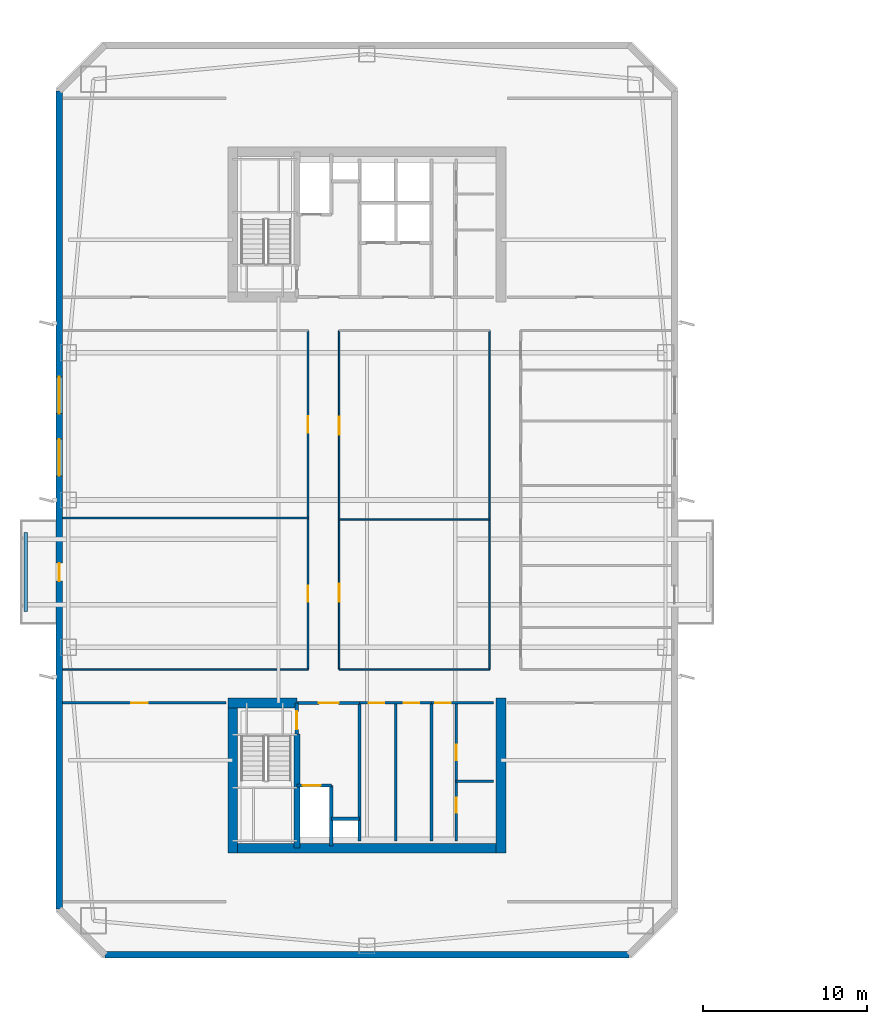
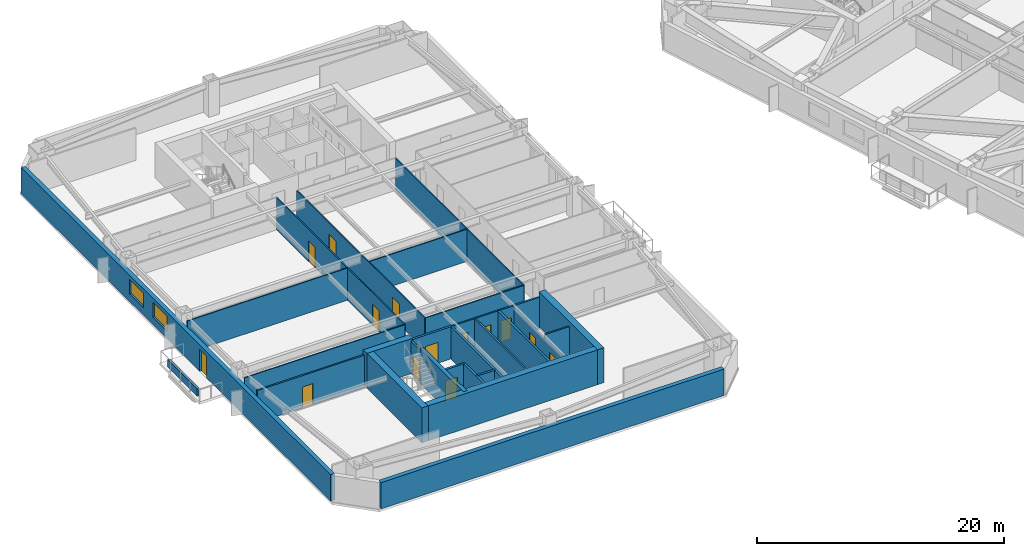
# One storey, part 5 of 17: 28 walls, 14 doors, 2 windows, 16 openings.
"""IFC4 building model written with IfcOpenShell, lengths in metres."""

from ifc_helpers import new_model, si_unit, direction, frame, frame_2d, origin, place, context, subcontext, project, spatial, rectangle, extrude, material, layer, layer_set, type_object, element, fill, save


model = new_model("IFC4")

# Units and contexts
model_context = context("Model", 3, precision=1e-05, world=origin(), true_north=direction((0.0, 1.0)))
body_context = subcontext(model_context, "Body", "Model", "MODEL_VIEW")
ifc_project = project(units=[si_unit("LENGTHUNIT", "METRE"), si_unit("AREAUNIT", "SQUARE_METRE"), si_unit("VOLUMEUNIT", "CUBIC_METRE"), si_unit("PLANEANGLEUNIT", "RADIAN"), si_unit("MASSUNIT", "GRAM", prefix="KILO")], contexts=[model_context])

# Site, building, storey
site_placement = place(None, origin())
site = spatial("IfcSite", under=ifc_project, at=site_placement, CompositionType="ELEMENT")
building_placement = place(site_placement, origin())
building = spatial("IfcBuilding", under=site, at=building_placement, Name="Qiaolan Cultural Towers", CompositionType="ELEMENT")
storey_placement = place(building_placement, frame((0.0, 0.0, 131.10009765625)))
storey = spatial("IfcBuildingStorey", under=building, at=storey_placement, Name="L34", CompositionType="ELEMENT", Elevation=131.10009765625)

# Walls
ifc_material_1 = material(Name="Concrete C50", Category="concrete")
ifc_layer_1 = layer(ifc_material_1, 0.35009765625)
ifc_layer_set_1 = layer_set([ifc_layer_1], Name="Concrete C50")
wall_type_1 = type_object("IfcWallType", Name="WL-CORE-350", PredefinedType="SHEAR", material=ifc_layer_set_1)
wall_1_placement = place(storey_placement, frame((25.719970703125, 19.699951171875, 0.0), z_axis=(0.0, 0.0, 1.0), x_axis=(0.0, -1.0, 0.0)))
element("IfcWall", 1, at=wall_1_placement, inside=storey, type_object=wall_type_1, Name="L34 T1-CS Stair Core Dividing Web", PredefinedType="SHEAR", context=body_context, shape_type="SweptSolid", body=[
    extrude(rectangle(XDim=6.97998046875, YDim=0.35009765625, at=frame_2d((3.489990234375, 0.0))), origin(), (0.0, 0.0, 1.0), 3.449951171875),
])
ifc_material_2 = material(Name="Concrete C55", Category="concrete")
ifc_layer_2 = layer(ifc_material_2, 0.60009765625)
ifc_layer_set_2 = layer_set([ifc_layer_2], Name="Concrete C55")
wall_type_2 = type_object("IfcWallType", Name="WL-CORE-600", PredefinedType="SHEAR", material=ifc_layer_set_2)
wall_2_placement = place(storey_placement, frame((21.5, 12.719970703125, 0.0), z_axis=(0.0, 0.0, 1.0), x_axis=(1.0, 0.0, 0.0)))
element("IfcWall", 2, at=wall_2_placement, inside=storey, type_object=wall_type_2, Name="L34 T1-CS Outer Core Shear Wall", PredefinedType="SHEAR", context=body_context, shape_type="SweptSolid", body=[
    extrude(rectangle(XDim=17.0, YDim=0.60009765625, at=frame_2d((8.5, 0.0))), origin(), (0.0, 0.0, 1.0), 3.449951171875),
])
for number, where, z_axis, x_axis, name in (
    (3, (21.800048828125, 21.89990234375, 0.0), (0.0, 0.0, 1.0), (0.0, -1.0, 0.0), "L34 T1-CS West Core Shear Wall"),
    (4, (38.199951171875, 21.89990234375, 0.0), (0.0, 0.0, 1.0), (0.0, -1.0, 0.0), "L34 T1-CS East Core Shear Wall"),
):
    element("IfcWall", number, at=place(storey_placement, frame(where, z_axis=z_axis, x_axis=x_axis)), inside=storey, type_object=wall_type_2, Name=name, PredefinedType="SHEAR", context=body_context, shape_type="SweptSolid", body=[
        extrude(rectangle(XDim=9.47998046875, YDim=0.60009765625, at=frame_2d((4.739990234375, 0.0))), origin(), (0.0, 0.0, 1.0), 3.449951171875),
    ])
wall_3_placement = place(storey_placement, frame((21.5, 21.60009765625, 0.0), z_axis=(0.0, 0.0, 1.0), x_axis=(1.0, 0.0, 0.0)))
element("IfcWall", 5, at=wall_3_placement, inside=storey, type_object=wall_type_2, Name="L34 T1-CS Stair Front Shear Wall", PredefinedType="SHEAR", context=body_context, shape_type="SweptSolid", body=[
    extrude(rectangle(XDim=4.219970703125, YDim=0.60009765625, at=frame_2d((2.10986328125, 0.0))), origin(), (0.0, 0.0, 1.0), 3.449951171875),
])

# Wall, openings, door, windows
ifc_material_3 = material(Name="Precast Concrete C50 Honed Stone Pier", Category="masonry")
ifc_layer_3 = layer(ifc_material_3, 0.39990234375)
ifc_layer_set_3 = layer_set([ifc_layer_3], Name="Precast Concrete C50 Honed Stone Pier")
wall_type_3 = type_object("IfcWallType", Name="WL-EXT-PIER-400", PredefinedType="SOLIDWALL", material=ifc_layer_set_3)
wall_4_placement = place(storey_placement, frame((11.199951171875, 9.0, 0.0), z_axis=(0.0, 0.0, 1.0), x_axis=(0.0, 1.0, 0.0)))
wall_4 = element("IfcWall", 6, at=wall_4_placement, inside=storey, type_object=wall_type_3, Name="L34 West Tower Precast Pier Facade Wall F1", PredefinedType="SOLIDWALL", context=body_context, shape_type="SweptSolid", body=[
    extrude(rectangle(XDim=50.0, YDim=0.39990234375, at=frame_2d((25.0, 0.0))), origin(), (0.0, 0.0, 1.0), 2.60986328125),
])
opening_1_placement = place(wall_4_placement, frame((26.47509765625, 0.0, 0.75)))
opening_1 = element("IfcOpeningElement", 7, at=opening_1_placement, cuts=wall_4, Name="Opening W-03", PredefinedType="OPENING", context=body_context, shape_type="SweptSolid", body=[
    extrude(rectangle(XDim=2.25, YDim=1.4599609375, at=frame_2d((1.125, 0.72998046875))), frame((0.0, 0.2099609375, 0.0), z_axis=(0.0, -1.0, 0.0), x_axis=(1.0, 0.0, 0.0)), (0.0, 0.0, 1.0), 0.419921875),
])
opening_2_placement = place(wall_4_placement, frame((30.27490234375, 0.0, 0.75)))
opening_2 = element("IfcOpeningElement", 8, at=opening_2_placement, cuts=wall_4, Name="Opening W-03", PredefinedType="OPENING", context=body_context, shape_type="SweptSolid", body=[
    extrude(rectangle(XDim=2.25, YDim=1.4599609375, at=frame_2d((1.125, 0.72998046875))), frame((0.0, 0.2099609375, 0.0), z_axis=(0.0, -1.0, 0.0), x_axis=(1.0, 0.0, 0.0)), (0.0, 0.0, 1.0), 0.419921875),
])
opening_3_placement = place(wall_4_placement, frame((20.050048828125, 0.0, 0.0)))
opening_3 = element("IfcOpeningElement", 9, at=opening_3_placement, cuts=wall_4, Name="Opening BD-01", PredefinedType="OPENING", context=body_context, shape_type="SweptSolid", body=[
    extrude(rectangle(XDim=1.10009765625, YDim=2.14990234375, at=frame_2d((0.550048828125, 1.074951171875))), frame((0.0, 0.2099609375, 0.0), z_axis=(0.0, -1.0, 0.0), x_axis=(1.0, 0.0, 0.0)), (0.0, 0.0, 1.0), 0.419921875),
])
ifc_material_4 = material(Name="Thermally Broken Aluminium Glazed Terrace Door", Category="aluminium")
door_type_1 = type_object("IfcDoorType", Name="DR-BAL-1100", OperationType="NOTDEFINED", PredefinedType="DOOR", material=ifc_material_4)
door_1_placement = place(opening_3_placement, origin())
door_1 = element("IfcDoor", 10, at=door_1_placement, inside=storey, type_object=door_type_1, Name="L34 T1 West Tree Balcony Door", OperationType="SINGLE_SWING_LEFT", OverallHeight=2.14990234375, OverallWidth=1.10009765625, PredefinedType="DOOR", context=body_context, shape_type="SweptSolid", body=[
    extrude(rectangle(XDim=1.10009765625, YDim=2.14990234375, at=frame_2d((0.550048828125, 1.074951171875))), frame((0.0, 0.02490234375, 0.0), z_axis=(0.0, -1.0, 0.0), x_axis=(1.0, 0.0, 0.0)), (0.0, 0.0, 1.0), 0.050048828125),
])
fill(opening_3, door_1)
ifc_material_5 = material(Name="Thermally Broken Aluminium Triple Low-E Glazing", Category="aluminium")
window_type = type_object("IfcWindowType", Name="WN-CHIC-2250", PartitioningType="SINGLE_PANEL", PredefinedType="WINDOW", material=ifc_material_5)
window_1_placement = place(opening_1_placement, origin())
window_1 = element("IfcWindow", 11, at=window_1_placement, inside=storey, type_object=window_type, Name="L34 T1 W Chicago Bay Window 1", OverallHeight=1.4599609375, OverallWidth=2.25, PartitioningType="TRIPLE_PANEL_VERTICAL", PredefinedType="WINDOW", context=body_context, shape_type="SweptSolid", body=[
    extrude(rectangle(XDim=2.25, YDim=1.4599609375, at=frame_2d((1.125, 0.72998046875))), frame((0.0, 0.030029296875, 0.0), z_axis=(0.0, -1.0, 0.0), x_axis=(1.0, 0.0, 0.0)), (0.0, 0.0, 1.0), 0.06005859375),
])
fill(opening_1, window_1)
window_2_placement = place(opening_2_placement, origin())
window_2 = element("IfcWindow", 12, at=window_2_placement, inside=storey, type_object=window_type, Name="L34 T1 W Chicago Bay Window 2", OverallHeight=1.4599609375, OverallWidth=2.25, PartitioningType="TRIPLE_PANEL_VERTICAL", PredefinedType="WINDOW", context=body_context, shape_type="SweptSolid", body=[
    extrude(rectangle(XDim=2.25, YDim=1.4599609375, at=frame_2d((1.125, 0.72998046875))), frame((0.0, 0.030029296875, 0.0), z_axis=(0.0, -1.0, 0.0), x_axis=(1.0, 0.0, 0.0)), (0.0, 0.0, 1.0), 0.06005859375),
])
fill(opening_2, window_2)

# Wall
wall_5_placement = place(storey_placement, frame((46.0, 6.199951171875, 0.0), z_axis=(0.0, 0.0, 1.0), x_axis=(-1.0, 0.0, 0.0)))
element("IfcWall", 13, at=wall_5_placement, inside=storey, type_object=wall_type_3, Name="L34 West Tower Precast Pier Facade Wall F7", PredefinedType="SOLIDWALL", context=body_context, shape_type="SweptSolid", body=[
    extrude(rectangle(XDim=32.0, YDim=0.39990234375, at=frame_2d((16.0, 0.0))), origin(), (0.0, 0.0, 1.0), 2.60986328125),
])

# Wall, opening, door
ifc_material_6 = material(Name="Concrete C35 Fire Wall", Category="concrete")
ifc_layer_4 = layer(ifc_material_6, 0.199951171875)
ifc_layer_set_4 = layer_set([ifc_layer_4], Name="Concrete C35 Fire Wall")
wall_type_4 = type_object("IfcWallType", Name="WL-FIRE-200", PredefinedType="PARTITIONING", material=ifc_layer_set_4)
wall_6_placement = place(storey_placement, frame((25.719970703125, 21.60009765625, 0.0), z_axis=(0.0, 0.0, 1.0), x_axis=(0.0, -1.0, 0.0)))
wall_6 = element("IfcWall", 14, at=wall_6_placement, inside=storey, type_object=wall_type_4, Name="L34 T1-CS Smokeproof Stair Entry Wall", PredefinedType="PARTITIONING", context=body_context, shape_type="SweptSolid", body=[
    extrude(rectangle(XDim=1.900146484375, YDim=0.199951171875, at=frame_2d((0.9501953125, 0.0))), origin(), (0.0, 0.0, 1.0), 3.1748046875),
])
opening_4_placement = place(wall_6_placement, frame((0.52001953125, 0.0, 0.0)))
opening_4 = element("IfcOpeningElement", 15, at=opening_4_placement, cuts=wall_6, Name="Opening FD-04", PredefinedType="OPENING", context=body_context, shape_type="SweptSolid", body=[
    extrude(rectangle(XDim=1.10009765625, YDim=2.050048828125, at=frame_2d((0.550048828125, 1.02490234375))), frame((0.0, 0.10986328125, 0.0), z_axis=(0.0, -1.0, 0.0), x_axis=(1.0, 0.0, 0.0)), (0.0, 0.0, 1.0), 0.219970703125),
])
ifc_material_7 = material(Name="Galvanized Steel Command Fire Door", Category="steel")
door_type_2 = type_object("IfcDoorType", Name="DR-FD90-1100", OperationType="NOTDEFINED", PredefinedType="DOOR", material=ifc_material_7)
door_2_placement = place(opening_4_placement, origin())
door_2 = element("IfcDoor", 16, at=door_2_placement, inside=storey, type_object=door_type_2, Name="L34 ST-W1 Smokeproof Stair Fire Door", OperationType="SINGLE_SWING_LEFT", OverallHeight=2.050048828125, OverallWidth=1.10009765625, PredefinedType="DOOR", context=body_context, shape_type="SweptSolid", body=[
    extrude(rectangle(XDim=1.10009765625, YDim=2.050048828125, at=frame_2d((0.550048828125, 1.02490234375))), frame((0.0, 0.02490234375, 0.0), z_axis=(0.0, -1.0, 0.0), x_axis=(1.0, 0.0, 0.0)), (0.0, 0.0, 1.0), 0.050048828125),
])
fill(opening_4, door_2)

# Wall
wall_7_placement = place(storey_placement, frame((29.550048828125, 21.60009765625, 0.0), z_axis=(0.0, 0.0, 1.0), x_axis=(0.0, -1.0, 0.0)))
element("IfcWall", 17, at=wall_7_placement, inside=storey, type_object=wall_type_4, Name="L34 T1-CS Firefighting Zone Wall", PredefinedType="PARTITIONING", context=body_context, shape_type="SweptSolid", body=[
    extrude(rectangle(XDim=8.43017578125, YDim=0.199951171875, at=frame_2d((4.215087890625, 0.0))), origin(), (0.0, 0.0, 1.0), 3.1748046875),
])

# Wall, opening, door
wall_8_placement = place(storey_placement, frame((25.719970703125, 21.60009765625, 0.0), z_axis=(0.0, 0.0, 1.0), x_axis=(1.0, 0.0, 0.0)))
wall_8 = element("IfcWall", 18, at=wall_8_placement, inside=storey, type_object=wall_type_4, Name="L34 T1-CS Firefighting Lobby Front Wall", PredefinedType="PARTITIONING", context=body_context, shape_type="SweptSolid", body=[
    extrude(rectangle(XDim=3.830078125, YDim=0.199951171875, at=frame_2d((1.9150390625, 0.0))), origin(), (0.0, 0.0, 1.0), 3.1748046875),
])
opening_5_placement = place(wall_8_placement, frame((1.35009765625, 0.0, 0.0)))
opening_5 = element("IfcOpeningElement", 19, at=opening_5_placement, cuts=wall_8, Name="Opening FD-03", PredefinedType="OPENING", context=body_context, shape_type="SweptSolid", body=[
    extrude(rectangle(XDim=1.199951171875, YDim=2.050048828125, at=frame_2d((0.60009765625, 1.02490234375))), frame((0.0, 0.10986328125, 0.0), z_axis=(0.0, -1.0, 0.0), x_axis=(1.0, 0.0, 0.0)), (0.0, 0.0, 1.0), 0.219970703125),
])
ifc_material_8 = material(Name="Galvanized Steel Smokeproof Lobby Fire Door", Category="steel")
door_type_3 = type_object("IfcDoorType", Name="DR-FD90-1200", OperationType="NOTDEFINED", PredefinedType="DOOR", material=ifc_material_8)
door_3_placement = place(opening_5_placement, origin())
door_3 = element("IfcDoor", 20, at=door_3_placement, inside=storey, type_object=door_type_3, Name="L34 FFL-W1 Firefighting Lobby Fire Door", OperationType="SINGLE_SWING_LEFT", OverallHeight=2.050048828125, OverallWidth=1.199951171875, PredefinedType="DOOR", context=body_context, shape_type="SweptSolid", body=[
    extrude(rectangle(XDim=1.199951171875, YDim=2.050048828125, at=frame_2d((0.60009765625, 1.02490234375))), frame((0.0, 0.02490234375, 0.0), z_axis=(0.0, -1.0, 0.0), x_axis=(1.0, 0.0, 0.0)), (0.0, 0.0, 1.0), 0.050048828125),
])
fill(opening_5, door_3)

wall_9_placement = place(storey_placement, frame((25.719970703125, 16.550048828125, 0.0), z_axis=(0.0, 0.0, 1.0), x_axis=(1.0, 0.0, 0.0)))
wall_9 = element("IfcWall", 21, at=wall_9_placement, inside=storey, type_object=wall_type_4, Name="L34 T1-CS Firefighting Shaft Front Wall", PredefinedType="PARTITIONING", context=body_context, shape_type="SweptSolid", body=[
    extrude(rectangle(XDim=2.10009765625, YDim=0.199951171875, at=frame_2d((1.050048828125, 0.0))), origin(), (0.0, 0.0, 1.0), 3.1748046875),
])
opening_6_placement = place(wall_9_placement, frame((0.35009765625, 0.0, 0.0)))
opening_6 = element("IfcOpeningElement", 22, at=opening_6_placement, cuts=wall_9, Name="Opening LD-01", PredefinedType="OPENING", context=body_context, shape_type="SweptSolid", body=[
    extrude(rectangle(XDim=1.10009765625, YDim=2.050048828125, at=frame_2d((0.550048828125, 1.02490234375))), frame((0.0, 0.10986328125, 0.0), z_axis=(0.0, -1.0, 0.0), x_axis=(1.0, 0.0, 0.0)), (0.0, 0.0, 1.0), 0.219970703125),
])
ifc_material_9 = material(Name="Brushed Stainless Steel S30408 Centre-Parting Lift Landing Door", Category="steel")
door_type_4 = type_object("IfcDoorType", Name="DR-LIFT-1100", OperationType="NOTDEFINED", PredefinedType="DOOR", material=ifc_material_9)
door_4_placement = place(opening_6_placement, origin())
door_4 = element("IfcDoor", 23, at=door_4_placement, inside=storey, type_object=door_type_4, Name="L34 FFL-W1 Firefighting Lift Landing Door", OperationType="DOUBLE_DOOR_SLIDING", OverallHeight=2.050048828125, OverallWidth=1.10009765625, PredefinedType="DOOR", context=body_context, shape_type="SweptSolid", body=[
    extrude(rectangle(XDim=1.10009765625, YDim=2.050048828125, at=frame_2d((0.550048828125, 1.02490234375))), frame((0.0, 0.02490234375, 0.0), z_axis=(0.0, -1.0, 0.0), x_axis=(1.0, 0.0, 0.0)), (0.0, 0.0, 1.0), 0.050048828125),
])
fill(opening_6, door_4)

# Walls
wall_10_placement = place(storey_placement, frame((27.820068359375, 16.550048828125, 0.0), z_axis=(0.0, 0.0, 1.0), x_axis=(0.0, -1.0, 0.0)))
element("IfcWall", 24, at=wall_10_placement, inside=storey, type_object=wall_type_4, Name="L34 T1-CS Firefighting Hoistway East Wall", PredefinedType="PARTITIONING", context=body_context, shape_type="SweptSolid", body=[
    extrude(rectangle(XDim=3.699951171875, YDim=0.199951171875, at=frame_2d((1.85009765625, 0.0))), origin(), (0.0, 0.0, 1.0), 3.1748046875),
])
wall_11_placement = place(storey_placement, frame((27.820068359375, 14.52001953125, 0.0), z_axis=(0.0, 0.0, 1.0), x_axis=(1.0, 0.0, 0.0)))
element("IfcWall", 25, at=wall_11_placement, inside=storey, type_object=wall_type_4, Name="L34 T1-CS Pressurization Shaft Front Wall", PredefinedType="PARTITIONING", context=body_context, shape_type="SweptSolid", body=[
    extrude(rectangle(XDim=1.72998046875, YDim=0.199951171875, at=frame_2d((0.864990234375, 0.0))), origin(), (0.0, 0.0, 1.0), 3.1748046875),
])
wall_12_placement = place(storey_placement, frame((33.949951171875, 21.60009765625, 0.0), z_axis=(0.0, 0.0, 1.0), x_axis=(0.0, -1.0, 0.0)))
element("IfcWall", 26, at=wall_12_placement, inside=storey, type_object=wall_type_4, Name="L34 T1-CS Lift Core East Wall", PredefinedType="PARTITIONING", context=body_context, shape_type="SweptSolid", body=[
    extrude(rectangle(XDim=8.43017578125, YDim=0.199951171875, at=frame_2d((4.215087890625, 0.0))), origin(), (0.0, 0.0, 1.0), 3.1748046875),
])
ifc_material_10 = material(Name="Acoustic Double-Glazed Partition Frame", Category="glass")
ifc_layer_5 = layer(ifc_material_10, 0.10009765625)
ifc_layer_set_5 = layer_set([ifc_layer_5], Name="Acoustic Double-Glazed Partition Frame")
wall_type_5 = type_object("IfcWallType", Name="WL-GLAZED-100", PredefinedType="MOVABLE", material=ifc_layer_set_5)
wall_13_placement = place(storey_placement, frame((11.39990234375, 23.64990234375, 0.0), z_axis=(0.0, 0.0, 1.0), x_axis=(1.0, 0.0, 0.0)))
element("IfcWall", 27, at=wall_13_placement, inside=storey, type_object=wall_type_5, Name="L34 T1 Interior Wall", PredefinedType="MOVABLE", context=body_context, shape_type="SweptSolid", body=[
    extrude(rectangle(XDim=15.0, YDim=0.10009765625, at=frame_2d((7.5, 0.0))), origin(), (0.0, 0.0, 1.0), 3.1748046875),
])
wall_14_placement = place(storey_placement, frame((28.300048828125, 23.64990234375, 0.0), z_axis=(0.0, 0.0, 1.0), x_axis=(1.0, 0.0, 0.0)))
element("IfcWall", 28, at=wall_14_placement, inside=storey, type_object=wall_type_5, Name="L34 T1 Interior Wall", PredefinedType="MOVABLE", context=body_context, shape_type="SweptSolid", body=[
    extrude(rectangle(XDim=9.199951171875, YDim=0.10009765625, at=frame_2d((4.60009765625, 0.0))), origin(), (0.0, 0.0, 1.0), 3.1748046875),
])

# Wall, openings, doors
wall_15_placement = place(storey_placement, frame((26.39990234375, 23.64990234375, 0.0), z_axis=(0.0, 0.0, 1.0), x_axis=(0.0, 1.0, 0.0)))
wall_15 = element("IfcWall", 29, at=wall_15_placement, inside=storey, type_object=wall_type_5, Name="L34 T1 Interior Wall", PredefinedType="MOVABLE", context=body_context, shape_type="SweptSolid", body=[
    extrude(rectangle(XDim=20.7001953125, YDim=0.10009765625, at=frame_2d((10.35009765625, 0.0))), origin(), (0.0, 0.0, 1.0), 3.1748046875),
])
opening_7_placement = place(wall_15_placement, frame((4.12353515625, 0.0, 0.0)))
opening_7 = element("IfcOpeningElement", 30, at=opening_7_placement, cuts=wall_15, Name="Opening ID-04", PredefinedType="OPENING", context=body_context, shape_type="SweptSolid", body=[
    extrude(rectangle(XDim=1.0, YDim=2.050048828125, at=frame_2d((0.5, 1.02490234375))), frame((0.0, 0.06005859375, 0.0), z_axis=(0.0, -1.0, 0.0), x_axis=(1.0, 0.0, 0.0)), (0.0, 0.0, 1.0), 0.1201171875),
])
opening_8_placement = place(wall_15_placement, frame((14.473388671875, 0.0, 0.0)))
opening_8 = element("IfcOpeningElement", 31, at=opening_8_placement, cuts=wall_15, Name="Opening ID-04", PredefinedType="OPENING", context=body_context, shape_type="SweptSolid", body=[
    extrude(rectangle(XDim=1.0, YDim=2.050048828125, at=frame_2d((0.5, 1.02490234375))), frame((0.0, 0.06005859375, 0.0), z_axis=(0.0, -1.0, 0.0), x_axis=(1.0, 0.0, 0.0)), (0.0, 0.0, 1.0), 0.1201171875),
])
ifc_material_11 = material(Name="Oak Veneer Acoustic Office Door", Category="timber")
door_type_5 = type_object("IfcDoorType", Name="DR-INT-1000", OperationType="NOTDEFINED", PredefinedType="DOOR", material=ifc_material_11)
door_5_placement = place(opening_7_placement, origin())
door_5 = element("IfcDoor", 32, at=door_5_placement, inside=storey, type_object=door_type_5, Name="L34 T1 Design Research Studio Door", OperationType="SINGLE_SWING_LEFT", OverallHeight=2.050048828125, OverallWidth=1.0, PredefinedType="DOOR", context=body_context, shape_type="SweptSolid", body=[
    extrude(rectangle(XDim=1.0, YDim=2.050048828125, at=frame_2d((0.5, 1.02490234375))), frame((0.0, 0.02490234375, 0.0), z_axis=(0.0, -1.0, 0.0), x_axis=(1.0, 0.0, 0.0)), (0.0, 0.0, 1.0), 0.050048828125),
])
fill(opening_7, door_5)
door_6_placement = place(opening_8_placement, origin())
door_6 = element("IfcDoor", 33, at=door_6_placement, inside=storey, type_object=door_type_5, Name="L34 T1 Design Research Studio Door", OperationType="SINGLE_SWING_RIGHT", OverallHeight=2.050048828125, OverallWidth=1.0, PredefinedType="DOOR", context=body_context, shape_type="SweptSolid", body=[
    extrude(rectangle(XDim=1.0, YDim=2.050048828125, at=frame_2d((0.5, 1.02490234375))), frame((0.0, 0.02490234375, 0.0), z_axis=(0.0, -1.0, 0.0), x_axis=(1.0, 0.0, 0.0)), (0.0, 0.0, 1.0), 0.050048828125),
])
fill(opening_8, door_6)

wall_16_placement = place(storey_placement, frame((28.300048828125, 23.64990234375, 0.0), z_axis=(0.0, 0.0, 1.0), x_axis=(0.0, 1.0, 0.0)))
wall_16 = element("IfcWall", 34, at=wall_16_placement, inside=storey, type_object=wall_type_5, Name="L34 T1 Interior Wall", PredefinedType="MOVABLE", context=body_context, shape_type="SweptSolid", body=[
    extrude(rectangle(XDim=20.7001953125, YDim=0.10009765625, at=frame_2d((10.35009765625, 0.0))), origin(), (0.0, 0.0, 1.0), 3.1748046875),
])
opening_9_placement = place(wall_16_placement, frame((4.117431640625, 0.0, 0.0)))
opening_9 = element("IfcOpeningElement", 35, at=opening_9_placement, cuts=wall_16, Name="Opening ID-03", PredefinedType="OPENING", context=body_context, shape_type="SweptSolid", body=[
    extrude(rectangle(XDim=1.10009765625, YDim=2.050048828125, at=frame_2d((0.550048828125, 1.02490234375))), frame((0.0, 0.06005859375, 0.0), z_axis=(0.0, -1.0, 0.0), x_axis=(1.0, 0.0, 0.0)), (0.0, 0.0, 1.0), 0.1201171875),
])
opening_10_placement = place(wall_16_placement, frame((14.347412109375, 0.0, 0.0)))
opening_10 = element("IfcOpeningElement", 36, at=opening_10_placement, cuts=wall_16, Name="Opening ID-03", PredefinedType="OPENING", context=body_context, shape_type="SweptSolid", body=[
    extrude(rectangle(XDim=1.10009765625, YDim=2.050048828125, at=frame_2d((0.550048828125, 1.02490234375))), frame((0.0, 0.06005859375, 0.0), z_axis=(0.0, -1.0, 0.0), x_axis=(1.0, 0.0, 0.0)), (0.0, 0.0, 1.0), 0.1201171875),
])
ifc_material_12 = material(Name="Oak Veneer Solid-Core Boardroom Door", Category="timber")
door_type_6 = type_object("IfcDoorType", Name="DR-INT-1100", OperationType="NOTDEFINED", PredefinedType="DOOR", material=ifc_material_12)
door_7_placement = place(opening_9_placement, origin())
door_7 = element("IfcDoor", 37, at=door_7_placement, inside=storey, type_object=door_type_6, Name="L34 T1 Central Boardroom Door", OperationType="SINGLE_SWING_LEFT", OverallHeight=2.050048828125, OverallWidth=1.10009765625, PredefinedType="DOOR", context=body_context, shape_type="SweptSolid", body=[
    extrude(rectangle(XDim=1.10009765625, YDim=2.050048828125, at=frame_2d((0.550048828125, 1.02490234375))), frame((0.0, 0.02490234375, 0.0), z_axis=(0.0, -1.0, 0.0), x_axis=(1.0, 0.0, 0.0)), (0.0, 0.0, 1.0), 0.050048828125),
])
fill(opening_9, door_7)
door_8_placement = place(opening_10_placement, origin())
door_8 = element("IfcDoor", 38, at=door_8_placement, inside=storey, type_object=door_type_6, Name="L34 T1 Central Archive Salon Door", OperationType="SINGLE_SWING_RIGHT", OverallHeight=2.050048828125, OverallWidth=1.10009765625, PredefinedType="DOOR", context=body_context, shape_type="SweptSolid", body=[
    extrude(rectangle(XDim=1.10009765625, YDim=2.050048828125, at=frame_2d((0.550048828125, 1.02490234375))), frame((0.0, 0.02490234375, 0.0), z_axis=(0.0, -1.0, 0.0), x_axis=(1.0, 0.0, 0.0)), (0.0, 0.0, 1.0), 0.050048828125),
])
fill(opening_10, door_8)

# Walls
wall_17_placement = place(storey_placement, frame((37.5, 23.64990234375, 0.0), z_axis=(0.0, 0.0, 1.0), x_axis=(0.0, 1.0, 0.0)))
element("IfcWall", 39, at=wall_17_placement, inside=storey, type_object=wall_type_5, Name="L34 T1 Interior Wall", PredefinedType="MOVABLE", context=body_context, shape_type="SweptSolid", body=[
    extrude(rectangle(XDim=20.7001953125, YDim=0.10009765625, at=frame_2d((10.35009765625, 0.0))), origin(), (0.0, 0.0, 1.0), 3.1748046875),
])
wall_18_placement = place(storey_placement, frame((28.300048828125, 32.800048828125, 0.0), z_axis=(0.0, 0.0, 1.0), x_axis=(1.0, 0.0, 0.0)))
element("IfcWall", 40, at=wall_18_placement, inside=storey, type_object=wall_type_5, Name="L34 T1 Interior Wall", PredefinedType="MOVABLE", context=body_context, shape_type="SweptSolid", body=[
    extrude(rectangle(XDim=9.199951171875, YDim=0.10009765625, at=frame_2d((4.60009765625, 0.0))), origin(), (0.0, 0.0, 1.0), 3.1748046875),
])
wall_19_placement = place(storey_placement, frame((11.39990234375, 32.89697265625, 0.0), z_axis=(0.0, 0.0, 1.0), x_axis=(1.0, 0.0, 0.0)))
element("IfcWall", 41, at=wall_19_placement, inside=storey, type_object=wall_type_5, Name="L34 T1 Interior Wall", PredefinedType="MOVABLE", context=body_context, shape_type="SweptSolid", body=[
    extrude(rectangle(XDim=15.0, YDim=0.10009765625, at=frame_2d((7.5, 0.0))), origin(), (0.0, 0.0, 1.0), 3.1748046875),
])

# Wall, openings, doors
ifc_material_13 = material(Name="Autoclaved Aerated Concrete Block B06", Category="concrete")
ifc_layer_6 = layer(ifc_material_13, 0.14990234375)
ifc_layer_set_6 = layer_set([ifc_layer_6], Name="Autoclaved Aerated Concrete Block B06")
wall_type_6 = type_object("IfcWallType", Name="WL-PART-150", PredefinedType="PARTITIONING", material=ifc_layer_set_6)
wall_20_placement = place(storey_placement, frame((29.550048828125, 21.60009765625, 0.0), z_axis=(0.0, 0.0, 1.0), x_axis=(1.0, 0.0, 0.0)))
wall_20 = element("IfcWall", 42, at=wall_20_placement, inside=storey, type_object=wall_type_6, Name="L34 T1-CS Reclaimed Core Room Front Wall", PredefinedType="PARTITIONING", context=body_context, shape_type="SweptSolid", body=[
    extrude(rectangle(XDim=4.39990234375, YDim=0.14990234375, at=frame_2d((2.199951171875, 0.0))), origin(), (0.0, 0.0, 1.0), 3.1748046875),
])
opening_11_placement = place(wall_20_placement, frame((0.550048828125, 0.0, 0.0)))
opening_11 = element("IfcOpeningElement", 43, at=opening_11_placement, cuts=wall_20, Name="Opening ID-05", PredefinedType="OPENING", context=body_context, shape_type="SweptSolid", body=[
    extrude(rectangle(XDim=0.949951171875, YDim=2.050048828125, at=frame_2d((0.47509765625, 1.02490234375))), frame((0.0, 0.0849609375, 0.0), z_axis=(0.0, -1.0, 0.0), x_axis=(1.0, 0.0, 0.0)), (0.0, 0.0, 1.0), 0.169921875),
])
opening_12_placement = place(wall_20_placement, frame((2.699951171875, 0.0, 0.0)))
opening_12 = element("IfcOpeningElement", 44, at=opening_12_placement, cuts=wall_20, Name="Opening ID-05", PredefinedType="OPENING", context=body_context, shape_type="SweptSolid", body=[
    extrude(rectangle(XDim=0.949951171875, YDim=2.050048828125, at=frame_2d((0.47509765625, 1.02490234375))), frame((0.0, 0.0849609375, 0.0), z_axis=(0.0, -1.0, 0.0), x_axis=(1.0, 0.0, 0.0)), (0.0, 0.0, 1.0), 0.169921875),
])
ifc_material_14 = material(Name="Fire-Rated Laminate Accessible Core Door", Category="timber")
door_type_7 = type_object("IfcDoorType", Name="DR-INT-950", OperationType="NOTDEFINED", PredefinedType="DOOR", material=ifc_material_14)
door_9_placement = place(opening_11_placement, origin())
door_9 = element("IfcDoor", 45, at=door_9_placement, inside=storey, type_object=door_type_7, Name="L34 Copy Print Room Door", OperationType="SINGLE_SWING_LEFT", OverallHeight=2.050048828125, OverallWidth=0.949951171875, PredefinedType="DOOR", context=body_context, shape_type="SweptSolid", body=[
    extrude(rectangle(XDim=0.949951171875, YDim=2.050048828125, at=frame_2d((0.47509765625, 1.02490234375))), frame((0.0, 0.02490234375, 0.0), z_axis=(0.0, -1.0, 0.0), x_axis=(1.0, 0.0, 0.0)), (0.0, 0.0, 1.0), 0.050048828125),
])
fill(opening_11, door_9)
door_10_placement = place(opening_12_placement, origin())
door_10 = element("IfcDoor", 46, at=door_10_placement, inside=storey, type_object=door_type_7, Name="L34 Tea Pantry Room Door", OperationType="SINGLE_SWING_RIGHT", OverallHeight=2.050048828125, OverallWidth=0.949951171875, PredefinedType="DOOR", context=body_context, shape_type="SweptSolid", body=[
    extrude(rectangle(XDim=0.949951171875, YDim=2.050048828125, at=frame_2d((0.47509765625, 1.02490234375))), frame((0.0, 0.02490234375, 0.0), z_axis=(0.0, -1.0, 0.0), x_axis=(1.0, 0.0, 0.0)), (0.0, 0.0, 1.0), 0.050048828125),
])
fill(opening_12, door_10)

# Wall
wall_21_placement = place(storey_placement, frame((31.75, 21.60009765625, 0.0), z_axis=(0.0, 0.0, 1.0), x_axis=(0.0, -1.0, 0.0)))
element("IfcWall", 47, at=wall_21_placement, inside=storey, type_object=wall_type_6, Name="L34 T1-CS Reclaimed Twin Room Wall", PredefinedType="PARTITIONING", context=body_context, shape_type="SweptSolid", body=[
    extrude(rectangle(XDim=8.43017578125, YDim=0.14990234375, at=frame_2d((4.215087890625, 0.0))), origin(), (0.0, 0.0, 1.0), 3.1748046875),
])

# Wall, opening, door
wall_22_placement = place(storey_placement, frame((33.949951171875, 21.60009765625, 0.0), z_axis=(0.0, 0.0, 1.0), x_axis=(1.0, 0.0, 0.0)))
wall_22 = element("IfcWall", 48, at=wall_22_placement, inside=storey, type_object=wall_type_6, Name="L34 T1-CS Sanitary Core Front Wall", PredefinedType="PARTITIONING", context=body_context, shape_type="SweptSolid", body=[
    extrude(rectangle(XDim=3.800048828125, YDim=0.14990234375, at=frame_2d((1.89990234375, 0.0))), origin(), (0.0, 0.0, 1.0), 3.1748046875),
])
opening_13_placement = place(wall_22_placement, frame((0.219970703125, 0.0, 0.0)))
opening_13 = element("IfcOpeningElement", 49, at=opening_13_placement, cuts=wall_22, Name="Opening ID-05", PredefinedType="OPENING", context=body_context, shape_type="SweptSolid", body=[
    extrude(rectangle(XDim=0.949951171875, YDim=2.050048828125, at=frame_2d((0.47509765625, 1.02490234375))), frame((0.0, 0.0849609375, 0.0), z_axis=(0.0, -1.0, 0.0), x_axis=(1.0, 0.0, 0.0)), (0.0, 0.0, 1.0), 0.169921875),
])
door_11_placement = place(opening_13_placement, origin())
door_11 = element("IfcDoor", 50, at=door_11_placement, inside=storey, type_object=door_type_7, Name="L34 Sanitary Lobby Door", OperationType="SINGLE_SWING_LEFT", OverallHeight=2.050048828125, OverallWidth=0.949951171875, PredefinedType="DOOR", context=body_context, shape_type="SweptSolid", body=[
    extrude(rectangle(XDim=0.949951171875, YDim=2.050048828125, at=frame_2d((0.47509765625, 1.02490234375))), frame((0.0, 0.02490234375, 0.0), z_axis=(0.0, -1.0, 0.0), x_axis=(1.0, 0.0, 0.0)), (0.0, 0.0, 1.0), 0.050048828125),
])
fill(opening_13, door_11)

# Wall, openings, doors
wall_23_placement = place(storey_placement, frame((35.449951171875, 21.60009765625, 0.0), z_axis=(0.0, 0.0, 1.0), x_axis=(0.0, -1.0, 0.0)))
wall_23 = element("IfcWall", 51, at=wall_23_placement, inside=storey, type_object=wall_type_6, Name="L34 T1-CS Washroom Split Wall", PredefinedType="PARTITIONING", context=body_context, shape_type="SweptSolid", body=[
    extrude(rectangle(XDim=8.43017578125, YDim=0.14990234375, at=frame_2d((4.215087890625, 0.0))), origin(), (0.0, 0.0, 1.0), 2.764892578125),
])
opening_14_placement = place(wall_23_placement, frame((2.550048828125, 0.0, 0.0)))
opening_14 = element("IfcOpeningElement", 52, at=opening_14_placement, cuts=wall_23, Name="Opening ID-05", PredefinedType="OPENING", context=body_context, shape_type="SweptSolid", body=[
    extrude(rectangle(XDim=0.949951171875, YDim=2.050048828125, at=frame_2d((0.47509765625, 1.02490234375))), frame((0.0, 0.0849609375, 0.0), z_axis=(0.0, -1.0, 0.0), x_axis=(1.0, 0.0, 0.0)), (0.0, 0.0, 1.0), 0.169921875),
])
opening_15_placement = place(wall_23_placement, frame((5.800048828125, 0.0, 0.0)))
opening_15 = element("IfcOpeningElement", 53, at=opening_15_placement, cuts=wall_23, Name="Opening ID-06", PredefinedType="OPENING", context=body_context, shape_type="SweptSolid", body=[
    extrude(rectangle(XDim=0.89990234375, YDim=2.050048828125, at=frame_2d((0.449951171875, 1.02490234375))), frame((0.0, 0.0849609375, 0.0), z_axis=(0.0, -1.0, 0.0), x_axis=(1.0, 0.0, 0.0)), (0.0, 0.0, 1.0), 0.169921875),
])
ifc_material_15 = material(Name="Fire-Rated Laminate Core Service Door", Category="timber")
door_type_8 = type_object("IfcDoorType", Name="DR-INT-900", OperationType="NOTDEFINED", PredefinedType="DOOR", material=ifc_material_15)
door_12_placement = place(opening_15_placement, origin())
door_12 = element("IfcDoor", 54, at=door_12_placement, inside=storey, type_object=door_type_8, Name="L34 First-Aid Room Door", OperationType="SINGLE_SWING_RIGHT", OverallHeight=2.050048828125, OverallWidth=0.89990234375, PredefinedType="DOOR", context=body_context, shape_type="SweptSolid", body=[
    extrude(rectangle(XDim=0.89990234375, YDim=2.050048828125, at=frame_2d((0.449951171875, 1.02490234375))), frame((0.0, 0.02490234375, 0.0), z_axis=(0.0, -1.0, 0.0), x_axis=(1.0, 0.0, 0.0)), (0.0, 0.0, 1.0), 0.050048828125),
])
fill(opening_15, door_12)
door_13_placement = place(opening_14_placement, origin())
door_13 = element("IfcDoor", 55, at=door_13_placement, inside=storey, type_object=door_type_7, Name="L34 Accessible Washroom Door", OperationType="SINGLE_SWING_LEFT", OverallHeight=2.050048828125, OverallWidth=0.949951171875, PredefinedType="DOOR", context=body_context, shape_type="SweptSolid", body=[
    extrude(rectangle(XDim=0.949951171875, YDim=2.050048828125, at=frame_2d((0.47509765625, 1.02490234375))), frame((0.0, 0.02490234375, 0.0), z_axis=(0.0, -1.0, 0.0), x_axis=(1.0, 0.0, 0.0)), (0.0, 0.0, 1.0), 0.050048828125),
])
fill(opening_14, door_13)

# Wall
wall_24_placement = place(storey_placement, frame((35.449951171875, 16.800048828125, 0.0), z_axis=(0.0, 0.0, 1.0), x_axis=(1.0, 0.0, 0.0)))
element("IfcWall", 56, at=wall_24_placement, inside=storey, type_object=wall_type_6, Name="L34 T1-CS First-Aid Wall", PredefinedType="PARTITIONING", context=body_context, shape_type="SweptSolid", body=[
    extrude(rectangle(XDim=2.300048828125, YDim=0.14990234375, at=frame_2d((1.14990234375, 0.0))), origin(), (0.0, 0.0, 1.0), 3.1748046875),
])

# Wall, opening, door
wall_25_placement = place(storey_placement, frame((11.39990234375, 21.60009765625, 0.0), z_axis=(0.0, 0.0, 1.0), x_axis=(1.0, 0.0, 0.0)))
wall_25 = element("IfcWall", 57, at=wall_25_placement, inside=storey, type_object=wall_type_6, Name="L34 T1 Flank Front FLK-SW", PredefinedType="PARTITIONING", context=body_context, shape_type="SweptSolid", body=[
    extrude(rectangle(XDim=10.0, YDim=0.14990234375, at=frame_2d((5.0, 0.0))), origin(), (0.0, 0.0, 1.0), 3.1748046875),
])
opening_16_placement = place(wall_25_placement, frame((4.199951171875, 0.0, 0.0)))
opening_16 = element("IfcOpeningElement", 58, at=opening_16_placement, cuts=wall_25, Name="Opening ID-04", PredefinedType="OPENING", context=body_context, shape_type="SweptSolid", body=[
    extrude(rectangle(XDim=1.0, YDim=2.050048828125, at=frame_2d((0.5, 1.02490234375))), frame((0.0, 0.0849609375, 0.0), z_axis=(0.0, -1.0, 0.0), x_axis=(1.0, 0.0, 0.0)), (0.0, 0.0, 1.0), 0.169921875),
])
door_14_placement = place(opening_16_placement, origin())
door_14 = element("IfcDoor", 59, at=door_14_placement, inside=storey, type_object=door_type_5, Name="L34 T1 Corner Studio Door", OperationType="SINGLE_SWING_LEFT", OverallHeight=2.050048828125, OverallWidth=1.0, PredefinedType="DOOR", context=body_context, shape_type="SweptSolid", body=[
    extrude(rectangle(XDim=1.0, YDim=2.050048828125, at=frame_2d((0.5, 1.02490234375))), frame((0.0, 0.02490234375, 0.0), z_axis=(0.0, -1.0, 0.0), x_axis=(1.0, 0.0, 0.0)), (0.0, 0.0, 1.0), 0.050048828125),
])
fill(opening_16, door_14)

# Wall
ifc_material_16 = material(Name="Precast Concrete C45 Tree Planter Upstand", Category="concrete")
ifc_layer_7 = layer(ifc_material_16, 0.199951171875)
ifc_layer_set_7 = layer_set([ifc_layer_7], Name="Precast Concrete C45 Tree Planter Upstand")
wall_type_7 = type_object("IfcWallType", Name="WL-PLANTER-200", PredefinedType="PARAPET", material=ifc_layer_set_7)
wall_26_placement = place(storey_placement, frame((9.14990234375, 27.199951171875, 0.0), z_axis=(0.0, 0.0, 1.0), x_axis=(0.0, 1.0, 0.0)))
element("IfcWall", 60, at=wall_26_placement, inside=storey, type_object=wall_type_7, Name="L34 T1 Tree Balcony Soil Planter Box W", PredefinedType="PARAPET", context=body_context, shape_type="SweptSolid", body=[
    extrude(rectangle(XDim=4.800048828125, YDim=0.199951171875, at=frame_2d((2.39990234375, 0.0))), origin(), (0.0, 0.0, 1.0), 0.75),
])

save(model, "model.ifc")
